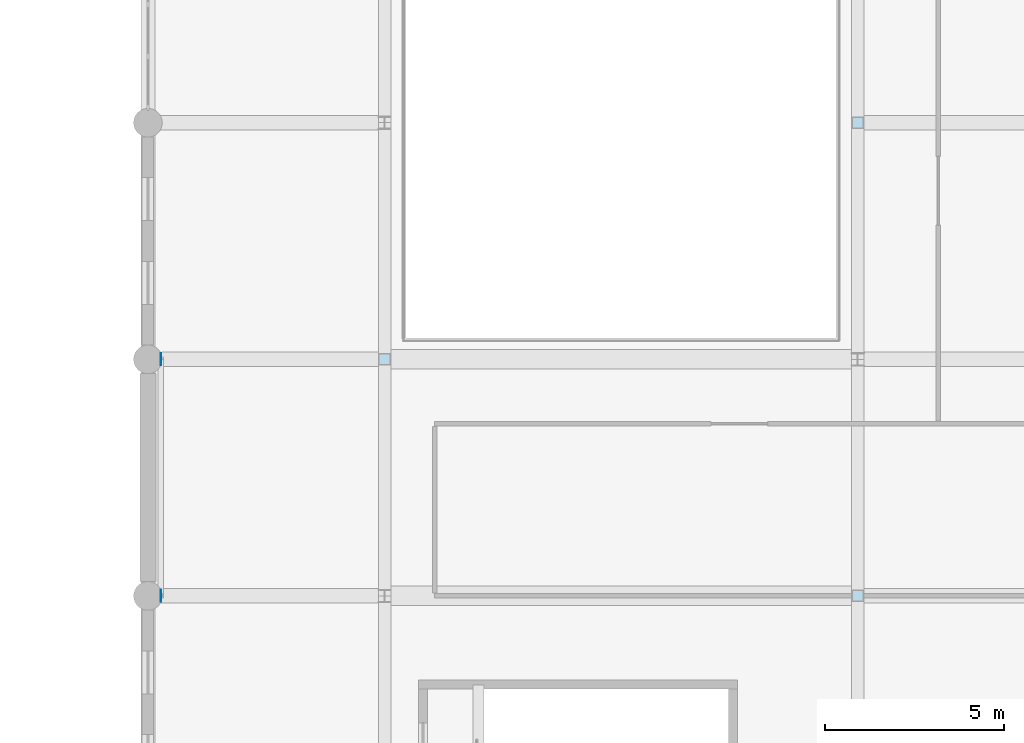
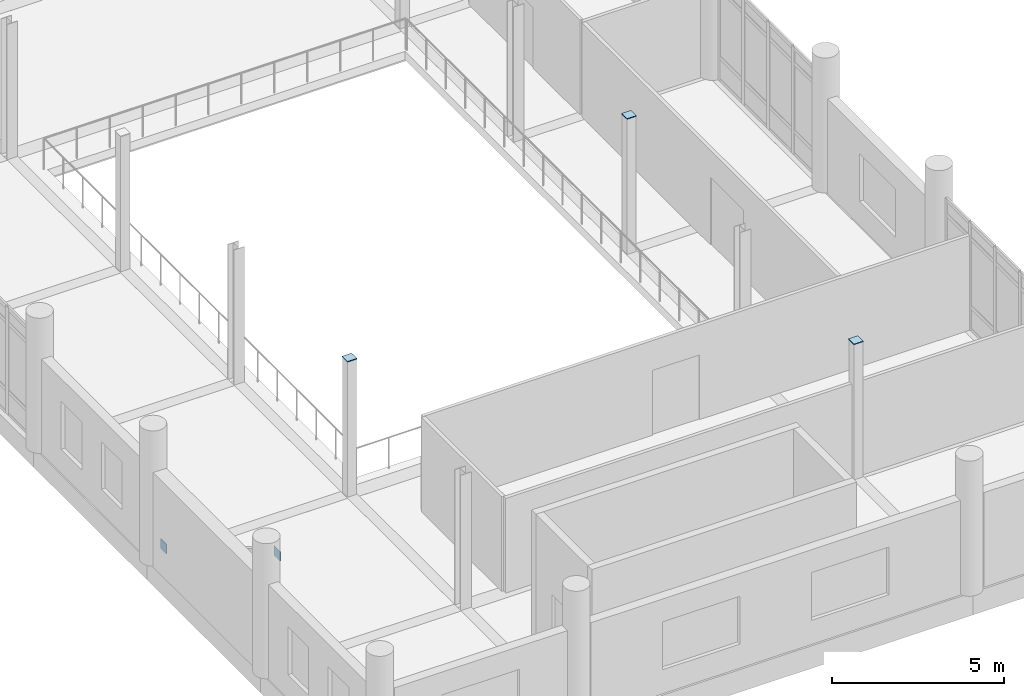
# One storey, part 42 of 76: 5 plates.
"""IFC4 building model written with IfcOpenShell, lengths in metres."""

from ifc_helpers import new_model, si_unit, direction, frame, origin, origin_2d, place, context, subcontext, project, spatial, rectangle, extrude, material, layer, layer_set, type_object, element, save


model = new_model("IFC4")

# Units and contexts
model_context = context("Model", 3, precision=1e-05, world=origin(), true_north=direction((0.0, 1.0)))
body_context = subcontext(model_context, "Body", "Model", "MODEL_VIEW")
ifc_project = project(units=[si_unit("LENGTHUNIT", "METRE"), si_unit("AREAUNIT", "SQUARE_METRE"), si_unit("VOLUMEUNIT", "CUBIC_METRE"), si_unit("PLANEANGLEUNIT", "RADIAN"), si_unit("MASSUNIT", "GRAM", prefix="KILO")], contexts=[model_context])

# Site, building, storey
site_placement = place(None, origin())
site = spatial("IfcSite", under=ifc_project, at=site_placement, CompositionType="ELEMENT")
building_placement = place(site_placement, origin())
building = spatial("IfcBuilding", under=site, at=building_placement, Name="Dornvale Research Institute", CompositionType="ELEMENT")
storey_placement = place(building_placement, frame((0.0, 0.0, 15.0)))
storey = spatial("IfcBuildingStorey", under=building, at=storey_placement, Name="L03", CompositionType="ELEMENT", Elevation=15.0)

# Plates
ifc_material_1 = material(Name="Steel ASTM A572 Grade 50", Category="steel")
ifc_layer_1 = layer(ifc_material_1, 0.02490234375)
ifc_layer_set_1 = layer_set([ifc_layer_1], Name="Steel ASTM A572 Grade 50")
plate_type_1 = type_object("IfcPlateType", Name="SheetPlate_EndCap_25", PredefinedType="SHEET", material=ifc_layer_set_1)
for number, where, z_axis, x_axis, name in (
    (1, (46.199951171875, 52.800048828125, 4.800048828125), (0.0, 0.0, 1.0), (1.0, 0.0, 0.0), "HSS column top cap plate ND-077"),
    (2, (59.39990234375, 46.199951171875, 4.800048828125), (0.0, 0.0, 1.0), (1.0, 0.0, 0.0), "HSS column top cap plate ND-080"),
    (3, (59.39990234375, 59.39990234375, 4.800048828125), (0.0, 0.0, 1.0), (1.0, 0.0, 0.0), "HSS column top cap plate ND-081"),
):
    element("IfcPlate", number, at=place(storey_placement, frame(where, z_axis=z_axis, x_axis=x_axis)), inside=storey, type_object=plate_type_1, Name=name, PredefinedType="SHEET", context=body_context, shape_type="SweptSolid", body=[
        extrude(rectangle(XDim=0.320068359375, YDim=0.320068359375, at=origin_2d()), origin(), (0.0, 0.0, 1.0), 0.02490234375),
    ])
ifc_material_2 = material(Name="Steel ASTM A572 Grade 50", Category="steel")
ifc_layer_2 = layer(ifc_material_2, 0.01611328125)
ifc_layer_set_2 = layer_set([ifc_layer_2], Name="Steel ASTM A572 Grade 50")
plate_type_2 = type_object("IfcPlateType", Name="SheetPlate_Gusset_16", PredefinedType="SHEET", material=ifc_layer_set_2)
for number, where, z_axis, x_axis, name in (
    (4, (39.9599609375, 52.800048828125, 0.1298828125), (0.0, 0.0, 1.0), (0.0, 1.0, 0.0), "HSS brace node gusset and cap plate ND-067"),
    (5, (39.9599609375, 46.199951171875, 3.8798828125), (0.0, 0.0, 1.0), (0.0, 1.0, 0.0), "HSS brace node gusset and cap plate ND-068"),
):
    element("IfcPlate", number, at=place(storey_placement, frame(where, z_axis=z_axis, x_axis=x_axis)), inside=storey, type_object=plate_type_2, Name=name, PredefinedType="SHEET", context=body_context, shape_type="SweptSolid", body=[
        extrude(rectangle(XDim=0.340087890625, YDim=0.01611328125, at=origin_2d()), origin(), (0.0, 0.0, 1.0), 0.340087890625),
    ])

save(model, "model.ifc")
